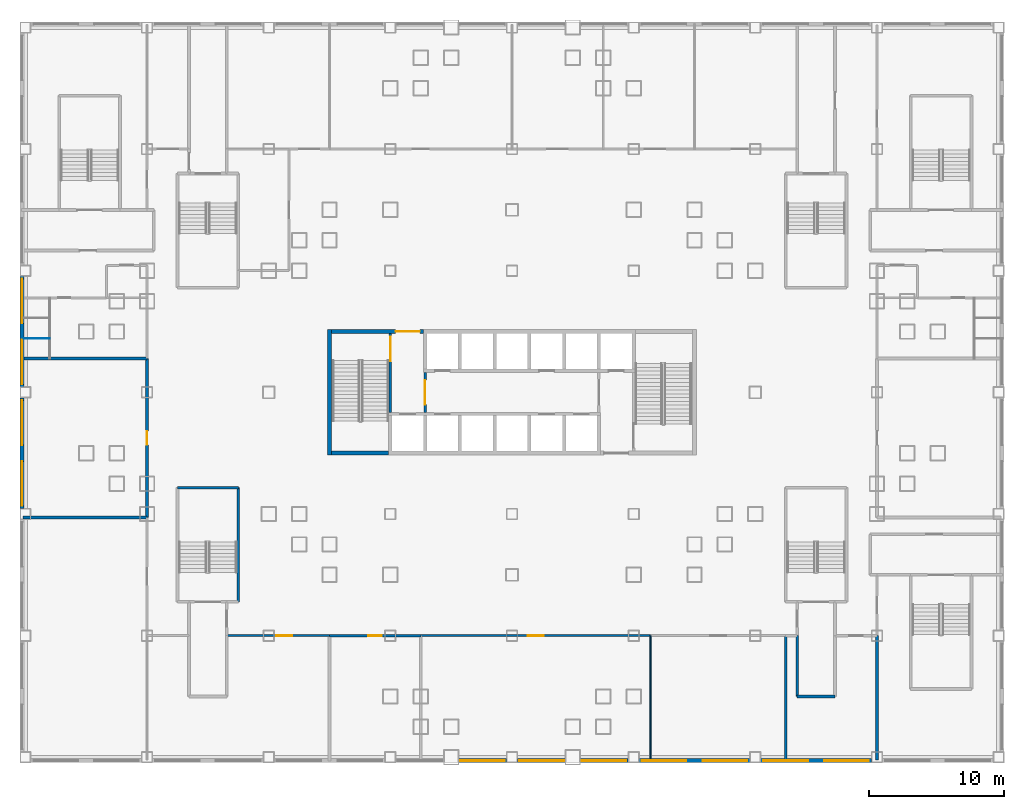
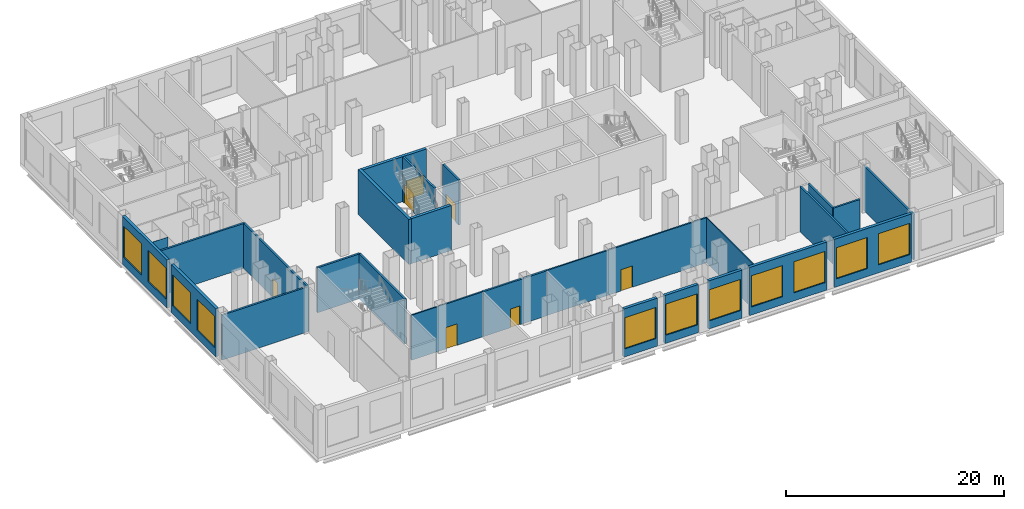
# One storey, part 3 of 26: 26 walls, 11 windows, 7 doors, 18 openings.
"""IFC4 building model written with IfcOpenShell, lengths in metres."""

from ifc_helpers import new_model, si_unit, direction, frame, frame_2d, origin, place, context, subcontext, project, spatial, rectangle, extrude, material, layer, layer_set, type_object, element, fill, save


model = new_model("IFC4")

# Units and contexts
model_context = context("Model", 3, precision=1e-05, world=origin(), true_north=direction((0.0, 1.0)))
body_context = subcontext(model_context, "Body", "Model", "MODEL_VIEW")
ifc_project = project(units=[si_unit("LENGTHUNIT", "METRE"), si_unit("AREAUNIT", "SQUARE_METRE"), si_unit("VOLUMEUNIT", "CUBIC_METRE"), si_unit("PLANEANGLEUNIT", "RADIAN"), si_unit("MASSUNIT", "GRAM", prefix="KILO")], contexts=[model_context])

# Site, building, storey
site_placement = place(None, origin())
site = spatial("IfcSite", under=ifc_project, at=site_placement, CompositionType="ELEMENT")
building_placement = place(site_placement, origin())
building = spatial("IfcBuilding", under=site, at=building_placement, Name="Caravel Reach Hotel and Residences", CompositionType="ELEMENT")
storey_placement = place(building_placement, frame((0.0, 0.0, 12.0)))
storey = spatial("IfcBuildingStorey", under=building, at=storey_placement, Name="L02", CompositionType="ELEMENT", Elevation=12.0)

# Walls
ifc_material_1 = material(Name="Autoclaved aerated block wall")
ifc_layer_1 = layer(ifc_material_1, 0.199951171875)
ifc_layer_set_1 = layer_set([ifc_layer_1], Name="Compartment wall 200 mm EI 120")
wall_type_1 = type_object("IfcWallType", Name="Compartment wall 200 mm EI 120", PredefinedType="PARTITIONING", material=ifc_layer_set_1)
wall_1_placement = place(storey_placement, frame((-4.68994140625, 17.75, 0.0), z_axis=(0.0, 0.0, 1.0), x_axis=(1.0, 0.0, 0.0)))
element("IfcWall", 1, at=wall_1_placement, inside=storey, type_object=wall_type_1, Name="L02 wall w041", PredefinedType="PARTITIONING", context=body_context, shape_type="SweptSolid", body=[
    extrude(rectangle(XDim=9.18994140625, YDim=0.199951171875, at=frame_2d((4.594970703125, 0.0))), origin(), (0.0, 0.0, 1.0), 5.050048828125),
])
wall_2_placement = place(storey_placement, frame((-4.6201171875, 29.5, 0.0), z_axis=(0.0, 0.0, 1.0), x_axis=(1.0, 0.0, 0.0)))
element("IfcWall", 2, at=wall_2_placement, inside=storey, type_object=wall_type_1, Name="L02 wall w043", PredefinedType="PARTITIONING", context=body_context, shape_type="SweptSolid", body=[
    extrude(rectangle(XDim=9.1201171875, YDim=0.199951171875, at=frame_2d((4.56005859375, 0.0))), origin(), (0.0, 0.0, 1.0), 5.050048828125),
])
wall_3_placement = place(storey_placement, frame((52.60009765625, 4.5, 0.0), z_axis=(0.0, 0.0, 1.0), x_axis=(1.0, 0.0, 0.0)))
element("IfcWall", 3, at=wall_3_placement, inside=storey, type_object=wall_type_1, Name="L02 wall w048", PredefinedType="PARTITIONING", context=body_context, shape_type="SweptSolid", body=[
    extrude(rectangle(XDim=2.7998046875, YDim=0.199951171875, at=frame_2d((1.39990234375, 0.0))), origin(), (0.0, 0.0, 1.0), 5.050048828125),
])

# Wall, opening, door
wall_4_placement = place(storey_placement, frame((18.0, 9.0, 0.0), z_axis=(0.0, 0.0, 1.0), x_axis=(1.0, 0.0, 0.0)))
wall_4 = element("IfcWall", 4, at=wall_4_placement, inside=storey, type_object=wall_type_1, Name="L02 wall w055", PredefinedType="PARTITIONING", context=body_context, shape_type="SweptSolid", body=[
    extrude(rectangle(XDim=6.75, YDim=0.199951171875, at=frame_2d((3.375, 0.0))), origin(), (0.0, 0.0, 1.0), 5.050048828125),
])
opening_1_placement = place(wall_4_placement, frame((2.875, 0.0, 0.0)))
opening_1 = element("IfcOpeningElement", 5, at=opening_1_placement, cuts=wall_4, Name="Opening D02-039", PredefinedType="OPENING", context=body_context, shape_type="SweptSolid", body=[
    extrude(rectangle(XDim=1.0, YDim=2.10009765625, at=frame_2d((0.5, 1.050048828125))), frame((0.0, 0.10986328125, 0.0), z_axis=(0.0, -1.0, 0.0), x_axis=(1.0, 0.0, 0.0)), (0.0, 0.0, 1.0), 0.219970703125),
])
ifc_material_2 = material(Name="Steel fire door leaf", Category="steel")
door_type_1 = type_object("IfcDoorType", Name="Fire door 1000 x 2100 EI 60", OperationType="SINGLE_SWING_LEFT", PredefinedType="DOOR", material=ifc_material_2)
door_1_placement = place(opening_1_placement, origin())
door_1 = element("IfcDoor", 6, at=door_1_placement, inside=storey, type_object=door_type_1, Name="door D02-039", OperationType="SINGLE_SWING_RIGHT", OverallHeight=2.10009765625, OverallWidth=1.0, PredefinedType="DOOR", context=body_context, shape_type="SweptSolid", body=[
    extrude(rectangle(XDim=1.0, YDim=2.10009765625, at=frame_2d((0.5, 1.050048828125))), frame((0.0, 0.02490234375, 0.0), z_axis=(0.0, -1.0, 0.0), x_axis=(1.0, 0.0, 0.0)), (0.0, 0.0, 1.0), 0.050048828125),
])
fill(opening_1, door_1)

wall_5_placement = place(storey_placement, frame((4.5, 17.75, 0.0), z_axis=(0.0, 0.0, 1.0), x_axis=(0.0, 1.0, 0.0)))
wall_5 = element("IfcWall", 7, at=wall_5_placement, inside=storey, type_object=wall_type_1, Name="L02 wall w064", PredefinedType="PARTITIONING", context=body_context, shape_type="SweptSolid", body=[
    extrude(rectangle(XDim=11.75, YDim=0.199951171875, at=frame_2d((5.875, 0.0))), origin(), (0.0, 0.0, 1.0), 5.050048828125),
])
opening_2_placement = place(wall_5_placement, frame((5.375, 0.0, 0.0)))
opening_2 = element("IfcOpeningElement", 8, at=opening_2_placement, cuts=wall_5, Name="Opening D02-029", PredefinedType="OPENING", context=body_context, shape_type="SweptSolid", body=[
    extrude(rectangle(XDim=1.0, YDim=2.10009765625, at=frame_2d((0.5, 1.050048828125))), frame((0.0, 0.10986328125, 0.0), z_axis=(0.0, -1.0, 0.0), x_axis=(1.0, 0.0, 0.0)), (0.0, 0.0, 1.0), 0.219970703125),
])
door_2_placement = place(opening_2_placement, origin())
door_2 = element("IfcDoor", 9, at=door_2_placement, inside=storey, type_object=door_type_1, Name="door D02-029", OperationType="SINGLE_SWING_RIGHT", OverallHeight=2.10009765625, OverallWidth=1.0, PredefinedType="DOOR", context=body_context, shape_type="SweptSolid", body=[
    extrude(rectangle(XDim=1.0, YDim=2.10009765625, at=frame_2d((0.5, 1.050048828125))), frame((0.0, 0.02490234375, 0.0), z_axis=(0.0, -1.0, 0.0), x_axis=(1.0, 0.0, 0.0)), (0.0, 0.0, 1.0), 0.050048828125),
])
fill(opening_2, door_2)

# Walls
wall_6_placement = place(storey_placement, frame((51.75, -0.1201171875, 0.0), z_axis=(0.0, 0.0, 1.0), x_axis=(0.0, 1.0, 0.0)))
element("IfcWall", 10, at=wall_6_placement, inside=storey, type_object=wall_type_1, Name="L02 wall w066", PredefinedType="PARTITIONING", context=body_context, shape_type="SweptSolid", body=[
    extrude(rectangle(XDim=9.1201171875, YDim=0.199951171875, at=frame_2d((4.56005859375, 0.0))), origin(), (0.0, 0.0, 1.0), 5.050048828125),
])
wall_7_placement = place(storey_placement, frame((52.60009765625, 4.5, 0.0), z_axis=(0.0, 0.0, 1.0), x_axis=(0.0, 1.0, 0.0)))
element("IfcWall", 11, at=wall_7_placement, inside=storey, type_object=wall_type_1, Name="L02 wall w070", PredefinedType="PARTITIONING", context=body_context, shape_type="SweptSolid", body=[
    extrude(rectangle(XDim=4.5, YDim=0.199951171875, at=frame_2d((2.25, 0.0))), origin(), (0.0, 0.0, 1.0), 5.050048828125),
])
wall_8_placement = place(storey_placement, frame((58.5, -0.18994140625, 0.0), z_axis=(0.0, 0.0, 1.0), x_axis=(0.0, 1.0, 0.0)))
element("IfcWall", 12, at=wall_8_placement, inside=storey, type_object=wall_type_1, Name="L02 wall w076", PredefinedType="PARTITIONING", context=body_context, shape_type="SweptSolid", body=[
    extrude(rectangle(XDim=9.18994140625, YDim=0.199951171875, at=frame_2d((4.594970703125, 0.0))), origin(), (0.0, 0.0, 1.0), 5.050048828125),
])
ifc_material_3 = material(Name="Concrete C60", Category="concrete")
ifc_layer_2 = layer(ifc_material_3, 0.300048828125)
ifc_layer_set_2 = layer_set([ifc_layer_2], Name="Core wall 300 mm EI 120")
wall_type_2 = type_object("IfcWallType", Name="Core wall 300 mm EI 120", PredefinedType="SHEAR", material=ifc_layer_set_2)
wall_9_placement = place(storey_placement, frame((18.14990234375, 22.5, 0.0), z_axis=(0.0, 0.0, 1.0), x_axis=(1.0, 0.0, 0.0)))
element("IfcWall", 13, at=wall_9_placement, inside=storey, type_object=wall_type_2, Name="L02 core wall S1", PredefinedType="SHEAR", context=body_context, shape_type="SweptSolid", body=[
    extrude(rectangle(XDim=4.22509765625, YDim=0.300048828125, at=frame_2d((2.112548828125, 0.0))), origin(), (0.0, 0.0, 1.0), 5.050048828125),
])

# Wall, opening, door
wall_10_placement = place(storey_placement, frame((18.14990234375, 31.5, 0.0), z_axis=(0.0, 0.0, 1.0), x_axis=(1.0, 0.0, 0.0)))
wall_10 = element("IfcWall", 14, at=wall_10_placement, inside=storey, type_object=wall_type_2, Name="L02 core wall N1", PredefinedType="SHEAR", context=body_context, shape_type="SweptSolid", body=[
    extrude(rectangle(XDim=6.796630859375, YDim=0.300048828125, at=frame_2d((3.3984375, 0.0))), origin(), (0.0, 0.0, 1.0), 5.050048828125),
])
opening_3_placement = place(wall_10_placement, frame((4.735595703125, 0.0, 0.0)))
opening_3 = element("IfcOpeningElement", 15, at=opening_3_placement, cuts=wall_10, Name="Opening D02-012", PredefinedType="OPENING", context=body_context, shape_type="SweptSolid", body=[
    extrude(rectangle(XDim=1.800048828125, YDim=2.10009765625, at=frame_2d((0.89990234375, 1.050048828125))), frame((0.0, 0.159912109375, 0.0), z_axis=(0.0, -1.0, 0.0), x_axis=(1.0, 0.0, 0.0)), (0.0, 0.0, 1.0), 0.320068359375),
])
ifc_material_4 = material(Name="Steel fire door leaf", Category="steel")
door_type_2 = type_object("IfcDoorType", Name="Fire lobby door pair 1800 x 2100 EI 90", OperationType="DOUBLE_DOOR_SINGLE_SWING", PredefinedType="DOOR", material=ifc_material_4)
door_3_placement = place(opening_3_placement, origin())
door_3 = element("IfcDoor", 16, at=door_3_placement, inside=storey, type_object=door_type_2, Name="lobby N door pair to corridor", OperationType="DOUBLE_DOOR_SINGLE_SWING", OverallHeight=2.10009765625, OverallWidth=1.800048828125, PredefinedType="DOOR", context=body_context, shape_type="SweptSolid", body=[
    extrude(rectangle(XDim=1.800048828125, YDim=2.10009765625, at=frame_2d((0.89990234375, 1.050048828125))), frame((0.0, 0.02490234375, 0.0), z_axis=(0.0, -1.0, 0.0), x_axis=(1.0, 0.0, 0.0)), (0.0, 0.0, 1.0), 0.050048828125),
])
fill(opening_3, door_3)

# Wall
wall_11_placement = place(storey_placement, frame((18.0, 22.35009765625, 0.0), z_axis=(0.0, 0.0, 1.0), x_axis=(0.0, 1.0, 0.0)))
element("IfcWall", 17, at=wall_11_placement, inside=storey, type_object=wall_type_2, Name="L02 core wall W", PredefinedType="SHEAR", context=body_context, shape_type="SweptSolid", body=[
    extrude(rectangle(XDim=9.2998046875, YDim=0.300048828125, at=frame_2d((4.64990234375, 0.0))), origin(), (0.0, 0.0, 1.0), 5.050048828125),
])

# Wall, opening, door
ifc_material_5 = material(Name="Gypsum board on steel stud, fire-rated", Category="steel")
ifc_layer_3 = layer(ifc_material_5, 0.14990234375)
ifc_layer_set_3 = layer_set([ifc_layer_3], Name="Corridor wall 150 mm EI 60")
wall_type_3 = type_object("IfcWallType", Name="Corridor wall 150 mm EI 60", PredefinedType="PARTITIONING", material=ifc_layer_set_3)
wall_12_placement = place(storey_placement, frame((10.39990234375, 9.0, 0.0), z_axis=(0.0, 0.0, 1.0), x_axis=(1.0, 0.0, 0.0)))
wall_12 = element("IfcWall", 18, at=wall_12_placement, inside=storey, type_object=wall_type_3, Name="L02 wall w013", PredefinedType="PARTITIONING", context=body_context, shape_type="SweptSolid", body=[
    extrude(rectangle(XDim=7.60009765625, YDim=0.14990234375, at=frame_2d((3.800048828125, 0.0))), origin(), (0.0, 0.0, 1.0), 5.050048828125),
])
opening_4_placement = place(wall_12_placement, frame((3.64990234375, 0.0, 0.0)))
opening_4 = element("IfcOpeningElement", 19, at=opening_4_placement, cuts=wall_12, Name="Opening D02-038", PredefinedType="OPENING", context=body_context, shape_type="SweptSolid", body=[
    extrude(rectangle(XDim=1.199951171875, YDim=2.39990234375, at=frame_2d((0.60009765625, 1.199951171875))), frame((0.0, 0.0849609375, 0.0), z_axis=(0.0, -1.0, 0.0), x_axis=(1.0, 0.0, 0.0)), (0.0, 0.0, 1.0), 0.169921875),
])
ifc_material_6 = material(Name="Timber and steel door leaf", Category="steel")
door_type_3 = type_object("IfcDoorType", Name="Glazed door 1200 x 2400", OperationType="SINGLE_SWING_LEFT", PredefinedType="DOOR", material=ifc_material_6)
door_4_placement = place(opening_4_placement, origin())
door_4 = element("IfcDoor", 20, at=door_4_placement, inside=storey, type_object=door_type_3, Name="door D02-038", OperationType="SINGLE_SWING_RIGHT", OverallHeight=2.39990234375, OverallWidth=1.199951171875, PredefinedType="DOOR", context=body_context, shape_type="SweptSolid", body=[
    extrude(rectangle(XDim=1.199951171875, YDim=2.39990234375, at=frame_2d((0.60009765625, 1.199951171875))), frame((0.0, 0.02490234375, 0.0), z_axis=(0.0, -1.0, 0.0), x_axis=(1.0, 0.0, 0.0)), (0.0, 0.0, 1.0), 0.050048828125),
])
fill(opening_4, door_4)

wall_13_placement = place(storey_placement, frame((24.75, 9.0, 0.0), z_axis=(0.0, 0.0, 1.0), x_axis=(1.0, 0.0, 0.0)))
wall_13 = element("IfcWall", 21, at=wall_13_placement, inside=storey, type_object=wall_type_3, Name="L02 wall w014", PredefinedType="PARTITIONING", context=body_context, shape_type="SweptSolid", body=[
    extrude(rectangle(XDim=17.0, YDim=0.14990234375, at=frame_2d((8.5, 0.0))), origin(), (0.0, 0.0, 1.0), 5.050048828125),
])
opening_5_placement = place(wall_13_placement, frame((7.89990234375, 0.0, 0.0)))
opening_5 = element("IfcOpeningElement", 22, at=opening_5_placement, cuts=wall_13, Name="Opening D02-040", PredefinedType="OPENING", context=body_context, shape_type="SweptSolid", body=[
    extrude(rectangle(XDim=1.199951171875, YDim=2.39990234375, at=frame_2d((0.60009765625, 1.199951171875))), frame((0.0, 0.0849609375, 0.0), z_axis=(0.0, -1.0, 0.0), x_axis=(1.0, 0.0, 0.0)), (0.0, 0.0, 1.0), 0.169921875),
])
door_5_placement = place(opening_5_placement, origin())
door_5 = element("IfcDoor", 23, at=door_5_placement, inside=storey, type_object=door_type_3, Name="door D02-040", OperationType="SINGLE_SWING_RIGHT", OverallHeight=2.39990234375, OverallWidth=1.199951171875, PredefinedType="DOOR", context=body_context, shape_type="SweptSolid", body=[
    extrude(rectangle(XDim=1.199951171875, YDim=2.39990234375, at=frame_2d((0.60009765625, 1.199951171875))), frame((0.0, 0.02490234375, 0.0), z_axis=(0.0, -1.0, 0.0), x_axis=(1.0, 0.0, 0.0)), (0.0, 0.0, 1.0), 0.050048828125),
])
fill(opening_5, door_5)

# Wall, openings, windows
ifc_material_7 = material(Name="Insulated wall, stone cladding", Category="masonry")
ifc_layer_4 = layer(ifc_material_7, 0.300048828125)
ifc_layer_set_4 = layer_set([ifc_layer_4], Name="EW2 Podium stone-clad wall")
wall_type_4 = type_object("IfcWallType", Name="EW2 Podium stone-clad wall", PredefinedType="SOLIDWALL", material=ifc_layer_set_4)
wall_14_placement = place(storey_placement, frame((-4.75, 35.60009765625, 0.0), z_axis=(0.0, 0.0, 1.0), x_axis=(0.0, -1.0, 0.0)))
wall_14 = element("IfcWall", 24, at=wall_14_placement, inside=storey, type_object=wall_type_4, Name="External wall L02 W3.3", PredefinedType="SOLIDWALL", context=body_context, shape_type="SweptSolid", body=[
    extrude(rectangle(XDim=8.2001953125, YDim=0.300048828125, at=frame_2d((4.10009765625, 0.0))), origin(), (0.0, 0.0, 1.0), 5.39990234375),
])
opening_6_placement = place(wall_14_placement, frame((0.199951171875, 0.0, 0.89990234375)))
opening_6 = element("IfcOpeningElement", 25, at=opening_6_placement, cuts=wall_14, Name="Opening WN30", PredefinedType="OPENING", context=body_context, shape_type="SweptSolid", body=[
    extrude(rectangle(XDim=3.300048828125, YDim=3.5, at=frame_2d((1.64990234375, 1.75))), frame((0.0, 0.159912109375, 0.0), z_axis=(0.0, -1.0, 0.0), x_axis=(1.0, 0.0, 0.0)), (0.0, 0.0, 1.0), 0.320068359375),
])
opening_7_placement = place(wall_14_placement, frame((4.699951171875, 0.0, 0.89990234375)))
opening_7 = element("IfcOpeningElement", 26, at=opening_7_placement, cuts=wall_14, Name="Opening WN30", PredefinedType="OPENING", context=body_context, shape_type="SweptSolid", body=[
    extrude(rectangle(XDim=3.300048828125, YDim=3.5, at=frame_2d((1.64990234375, 1.75))), frame((0.0, 0.159912109375, 0.0), z_axis=(0.0, -1.0, 0.0), x_axis=(1.0, 0.0, 0.0)), (0.0, 0.0, 1.0), 0.320068359375),
])
ifc_material_8 = material(Name="Dark low-e glazing in black aluminium frame", Category="aluminium")
window_type = type_object("IfcWindowType", Name="Podium window 3300 x 3500", PartitioningType="SINGLE_PANEL", PredefinedType="WINDOW", material=ifc_material_8)
window_1_placement = place(opening_6_placement, origin())
window_1 = element("IfcWindow", 27, at=window_1_placement, inside=storey, type_object=window_type, Name="Window L02 W3.3.1", OverallHeight=3.5, OverallWidth=3.300048828125, PartitioningType="SINGLE_PANEL", PredefinedType="WINDOW", context=body_context, shape_type="SweptSolid", body=[
    extrude(rectangle(XDim=3.300048828125, YDim=3.5, at=frame_2d((1.64990234375, 1.75))), frame((0.0, 0.030029296875, 0.0), z_axis=(0.0, -1.0, 0.0), x_axis=(1.0, 0.0, 0.0)), (0.0, 0.0, 1.0), 0.06005859375),
])
fill(opening_6, window_1)
window_2_placement = place(opening_7_placement, origin())
window_2 = element("IfcWindow", 28, at=window_2_placement, inside=storey, type_object=window_type, Name="Window L02 W3.3.2", OverallHeight=3.5, OverallWidth=3.300048828125, PartitioningType="SINGLE_PANEL", PredefinedType="WINDOW", context=body_context, shape_type="SweptSolid", body=[
    extrude(rectangle(XDim=3.300048828125, YDim=3.5, at=frame_2d((1.64990234375, 1.75))), frame((0.0, 0.030029296875, 0.0), z_axis=(0.0, -1.0, 0.0), x_axis=(1.0, 0.0, 0.0)), (0.0, 0.0, 1.0), 0.06005859375),
])
fill(opening_7, window_2)

wall_15_placement = place(storey_placement, frame((-4.75, 26.60009765625, 0.0), z_axis=(0.0, 0.0, 1.0), x_axis=(0.0, -1.0, 0.0)))
wall_15 = element("IfcWall", 29, at=wall_15_placement, inside=storey, type_object=wall_type_4, Name="External wall L02 W3.4", PredefinedType="SOLIDWALL", context=body_context, shape_type="SweptSolid", body=[
    extrude(rectangle(XDim=8.2001953125, YDim=0.300048828125, at=frame_2d((4.10009765625, 0.0))), origin(), (0.0, 0.0, 1.0), 5.39990234375),
])
opening_8_placement = place(wall_15_placement, frame((0.199951171875, 0.0, 0.89990234375)))
opening_8 = element("IfcOpeningElement", 30, at=opening_8_placement, cuts=wall_15, Name="Opening WN30", PredefinedType="OPENING", context=body_context, shape_type="SweptSolid", body=[
    extrude(rectangle(XDim=3.300048828125, YDim=3.5, at=frame_2d((1.64990234375, 1.75))), frame((0.0, 0.159912109375, 0.0), z_axis=(0.0, -1.0, 0.0), x_axis=(1.0, 0.0, 0.0)), (0.0, 0.0, 1.0), 0.320068359375),
])
opening_9_placement = place(wall_15_placement, frame((4.699951171875, 0.0, 0.89990234375)))
opening_9 = element("IfcOpeningElement", 31, at=opening_9_placement, cuts=wall_15, Name="Opening WN30", PredefinedType="OPENING", context=body_context, shape_type="SweptSolid", body=[
    extrude(rectangle(XDim=3.300048828125, YDim=3.5, at=frame_2d((1.64990234375, 1.75))), frame((0.0, 0.159912109375, 0.0), z_axis=(0.0, -1.0, 0.0), x_axis=(1.0, 0.0, 0.0)), (0.0, 0.0, 1.0), 0.320068359375),
])
window_3_placement = place(opening_8_placement, origin())
window_3 = element("IfcWindow", 32, at=window_3_placement, inside=storey, type_object=window_type, Name="Window L02 W3.4.1", OverallHeight=3.5, OverallWidth=3.300048828125, PartitioningType="SINGLE_PANEL", PredefinedType="WINDOW", context=body_context, shape_type="SweptSolid", body=[
    extrude(rectangle(XDim=3.300048828125, YDim=3.5, at=frame_2d((1.64990234375, 1.75))), frame((0.0, 0.030029296875, 0.0), z_axis=(0.0, -1.0, 0.0), x_axis=(1.0, 0.0, 0.0)), (0.0, 0.0, 1.0), 0.06005859375),
])
fill(opening_8, window_3)
window_4_placement = place(opening_9_placement, origin())
window_4 = element("IfcWindow", 33, at=window_4_placement, inside=storey, type_object=window_type, Name="Window L02 W3.4.2", OverallHeight=3.5, OverallWidth=3.300048828125, PartitioningType="SINGLE_PANEL", PredefinedType="WINDOW", context=body_context, shape_type="SweptSolid", body=[
    extrude(rectangle(XDim=3.300048828125, YDim=3.5, at=frame_2d((1.64990234375, 1.75))), frame((0.0, 0.030029296875, 0.0), z_axis=(0.0, -1.0, 0.0), x_axis=(1.0, 0.0, 0.0)), (0.0, 0.0, 1.0), 0.06005859375),
])
fill(opening_9, window_4)

# Wall, opening, window
wall_16_placement = place(storey_placement, frame((27.550048828125, -0.25, 0.0), z_axis=(0.0, 0.0, 1.0), x_axis=(1.0, 0.0, 0.0)))
wall_16 = element("IfcWall", 34, at=wall_16_placement, inside=storey, type_object=wall_type_4, Name="External wall L02 S4.5", PredefinedType="SOLIDWALL", context=body_context, shape_type="SweptSolid", body=[
    extrude(rectangle(XDim=3.550048828125, YDim=0.300048828125, at=frame_2d((1.77490234375, 0.0))), origin(), (0.0, 0.0, 1.0), 5.39990234375),
])
opening_10_placement = place(wall_16_placement, frame((0.10009765625, 0.0, 0.89990234375)))
opening_10 = element("IfcOpeningElement", 35, at=opening_10_placement, cuts=wall_16, Name="Opening WN30", PredefinedType="OPENING", context=body_context, shape_type="SweptSolid", body=[
    extrude(rectangle(XDim=3.300048828125, YDim=3.5, at=frame_2d((1.64990234375, 1.75))), frame((0.0, 0.159912109375, 0.0), z_axis=(0.0, -1.0, 0.0), x_axis=(1.0, 0.0, 0.0)), (0.0, 0.0, 1.0), 0.320068359375),
])
window_5_placement = place(opening_10_placement, origin())
window_5 = element("IfcWindow", 36, at=window_5_placement, inside=storey, type_object=window_type, Name="Window L02 S4.5.1", OverallHeight=3.5, OverallWidth=3.300048828125, PartitioningType="SINGLE_PANEL", PredefinedType="WINDOW", context=body_context, shape_type="SweptSolid", body=[
    extrude(rectangle(XDim=3.300048828125, YDim=3.5, at=frame_2d((1.64990234375, 1.75))), frame((0.0, 0.030029296875, 0.0), z_axis=(0.0, -1.0, 0.0), x_axis=(1.0, 0.0, 0.0)), (0.0, 0.0, 1.0), 0.06005859375),
])
fill(opening_10, window_5)

wall_17_placement = place(storey_placement, frame((31.89990234375, -0.25, 0.0), z_axis=(0.0, 0.0, 1.0), x_axis=(1.0, 0.0, 0.0)))
wall_17 = element("IfcWall", 37, at=wall_17_placement, inside=storey, type_object=wall_type_4, Name="External wall L02 S4.6", PredefinedType="SOLIDWALL", context=body_context, shape_type="SweptSolid", body=[
    extrude(rectangle(XDim=3.550048828125, YDim=0.300048828125, at=frame_2d((1.77490234375, 0.0))), origin(), (0.0, 0.0, 1.0), 5.39990234375),
])
opening_11_placement = place(wall_17_placement, frame((0.14990234375, 0.0, 0.89990234375)))
opening_11 = element("IfcOpeningElement", 38, at=opening_11_placement, cuts=wall_17, Name="Opening WN30", PredefinedType="OPENING", context=body_context, shape_type="SweptSolid", body=[
    extrude(rectangle(XDim=3.300048828125, YDim=3.5, at=frame_2d((1.64990234375, 1.75))), frame((0.0, 0.159912109375, 0.0), z_axis=(0.0, -1.0, 0.0), x_axis=(1.0, 0.0, 0.0)), (0.0, 0.0, 1.0), 0.320068359375),
])
window_6_placement = place(opening_11_placement, origin())
window_6 = element("IfcWindow", 39, at=window_6_placement, inside=storey, type_object=window_type, Name="Window L02 S4.6.1", OverallHeight=3.5, OverallWidth=3.300048828125, PartitioningType="SINGLE_PANEL", PredefinedType="WINDOW", context=body_context, shape_type="SweptSolid", body=[
    extrude(rectangle(XDim=3.300048828125, YDim=3.5, at=frame_2d((1.64990234375, 1.75))), frame((0.0, 0.030029296875, 0.0), z_axis=(0.0, -1.0, 0.0), x_axis=(1.0, 0.0, 0.0)), (0.0, 0.0, 1.0), 0.06005859375),
])
fill(opening_11, window_6)

wall_18_placement = place(storey_placement, frame((36.550048828125, -0.25, 0.0), z_axis=(0.0, 0.0, 1.0), x_axis=(1.0, 0.0, 0.0)))
wall_18 = element("IfcWall", 40, at=wall_18_placement, inside=storey, type_object=wall_type_4, Name="External wall L02 S4.7", PredefinedType="SOLIDWALL", context=body_context, shape_type="SweptSolid", body=[
    extrude(rectangle(XDim=3.550048828125, YDim=0.300048828125, at=frame_2d((1.77490234375, 0.0))), origin(), (0.0, 0.0, 1.0), 5.39990234375),
])
opening_12_placement = place(wall_18_placement, frame((0.10009765625, 0.0, 0.89990234375)))
opening_12 = element("IfcOpeningElement", 41, at=opening_12_placement, cuts=wall_18, Name="Opening WN30", PredefinedType="OPENING", context=body_context, shape_type="SweptSolid", body=[
    extrude(rectangle(XDim=3.300048828125, YDim=3.5, at=frame_2d((1.64990234375, 1.75))), frame((0.0, 0.159912109375, 0.0), z_axis=(0.0, -1.0, 0.0), x_axis=(1.0, 0.0, 0.0)), (0.0, 0.0, 1.0), 0.320068359375),
])
window_7_placement = place(opening_12_placement, origin())
window_7 = element("IfcWindow", 42, at=window_7_placement, inside=storey, type_object=window_type, Name="Window L02 S4.7.1", OverallHeight=3.5, OverallWidth=3.300048828125, PartitioningType="SINGLE_PANEL", PredefinedType="WINDOW", context=body_context, shape_type="SweptSolid", body=[
    extrude(rectangle(XDim=3.300048828125, YDim=3.5, at=frame_2d((1.64990234375, 1.75))), frame((0.0, 0.030029296875, 0.0), z_axis=(0.0, -1.0, 0.0), x_axis=(1.0, 0.0, 0.0)), (0.0, 0.0, 1.0), 0.06005859375),
])
fill(opening_12, window_7)

# Wall, openings, windows
wall_19_placement = place(storey_placement, frame((40.89990234375, -0.25, 0.0), z_axis=(0.0, 0.0, 1.0), x_axis=(1.0, 0.0, 0.0)))
wall_19 = element("IfcWall", 43, at=wall_19_placement, inside=storey, type_object=wall_type_4, Name="External wall L02 S4.8", PredefinedType="SOLIDWALL", context=body_context, shape_type="SweptSolid", body=[
    extrude(rectangle(XDim=8.2001953125, YDim=0.300048828125, at=frame_2d((4.10009765625, 0.0))), origin(), (0.0, 0.0, 1.0), 5.39990234375),
])
opening_13_placement = place(wall_19_placement, frame((0.199951171875, 0.0, 0.89990234375)))
opening_13 = element("IfcOpeningElement", 44, at=opening_13_placement, cuts=wall_19, Name="Opening WN30", PredefinedType="OPENING", context=body_context, shape_type="SweptSolid", body=[
    extrude(rectangle(XDim=3.300048828125, YDim=3.5, at=frame_2d((1.64990234375, 1.75))), frame((0.0, 0.159912109375, 0.0), z_axis=(0.0, -1.0, 0.0), x_axis=(1.0, 0.0, 0.0)), (0.0, 0.0, 1.0), 0.320068359375),
])
opening_14_placement = place(wall_19_placement, frame((4.699951171875, 0.0, 0.89990234375)))
opening_14 = element("IfcOpeningElement", 45, at=opening_14_placement, cuts=wall_19, Name="Opening WN30", PredefinedType="OPENING", context=body_context, shape_type="SweptSolid", body=[
    extrude(rectangle(XDim=3.300048828125, YDim=3.5, at=frame_2d((1.64990234375, 1.75))), frame((0.0, 0.159912109375, 0.0), z_axis=(0.0, -1.0, 0.0), x_axis=(1.0, 0.0, 0.0)), (0.0, 0.0, 1.0), 0.320068359375),
])
window_8_placement = place(opening_13_placement, origin())
window_8 = element("IfcWindow", 46, at=window_8_placement, inside=storey, type_object=window_type, Name="Window L02 S4.8.1", OverallHeight=3.5, OverallWidth=3.300048828125, PartitioningType="SINGLE_PANEL", PredefinedType="WINDOW", context=body_context, shape_type="SweptSolid", body=[
    extrude(rectangle(XDim=3.300048828125, YDim=3.5, at=frame_2d((1.64990234375, 1.75))), frame((0.0, 0.030029296875, 0.0), z_axis=(0.0, -1.0, 0.0), x_axis=(1.0, 0.0, 0.0)), (0.0, 0.0, 1.0), 0.06005859375),
])
fill(opening_13, window_8)
window_9_placement = place(opening_14_placement, origin())
window_9 = element("IfcWindow", 47, at=window_9_placement, inside=storey, type_object=window_type, Name="Window L02 S4.8.2", OverallHeight=3.5, OverallWidth=3.300048828125, PartitioningType="SINGLE_PANEL", PredefinedType="WINDOW", context=body_context, shape_type="SweptSolid", body=[
    extrude(rectangle(XDim=3.300048828125, YDim=3.5, at=frame_2d((1.64990234375, 1.75))), frame((0.0, 0.030029296875, 0.0), z_axis=(0.0, -1.0, 0.0), x_axis=(1.0, 0.0, 0.0)), (0.0, 0.0, 1.0), 0.06005859375),
])
fill(opening_14, window_9)

wall_20_placement = place(storey_placement, frame((49.89990234375, -0.25, 0.0), z_axis=(0.0, 0.0, 1.0), x_axis=(1.0, 0.0, 0.0)))
wall_20 = element("IfcWall", 48, at=wall_20_placement, inside=storey, type_object=wall_type_4, Name="External wall L02 S4.9", PredefinedType="SOLIDWALL", context=body_context, shape_type="SweptSolid", body=[
    extrude(rectangle(XDim=8.2001953125, YDim=0.300048828125, at=frame_2d((4.10009765625, 0.0))), origin(), (0.0, 0.0, 1.0), 5.39990234375),
])
opening_15_placement = place(wall_20_placement, frame((0.199951171875, 0.0, 0.89990234375)))
opening_15 = element("IfcOpeningElement", 49, at=opening_15_placement, cuts=wall_20, Name="Opening WN30", PredefinedType="OPENING", context=body_context, shape_type="SweptSolid", body=[
    extrude(rectangle(XDim=3.300048828125, YDim=3.5, at=frame_2d((1.64990234375, 1.75))), frame((0.0, 0.159912109375, 0.0), z_axis=(0.0, -1.0, 0.0), x_axis=(1.0, 0.0, 0.0)), (0.0, 0.0, 1.0), 0.320068359375),
])
opening_16_placement = place(wall_20_placement, frame((4.699951171875, 0.0, 0.89990234375)))
opening_16 = element("IfcOpeningElement", 50, at=opening_16_placement, cuts=wall_20, Name="Opening WN30", PredefinedType="OPENING", context=body_context, shape_type="SweptSolid", body=[
    extrude(rectangle(XDim=3.300048828125, YDim=3.5, at=frame_2d((1.64990234375, 1.75))), frame((0.0, 0.159912109375, 0.0), z_axis=(0.0, -1.0, 0.0), x_axis=(1.0, 0.0, 0.0)), (0.0, 0.0, 1.0), 0.320068359375),
])
window_10_placement = place(opening_15_placement, origin())
window_10 = element("IfcWindow", 51, at=window_10_placement, inside=storey, type_object=window_type, Name="Window L02 S4.9.1", OverallHeight=3.5, OverallWidth=3.300048828125, PartitioningType="SINGLE_PANEL", PredefinedType="WINDOW", context=body_context, shape_type="SweptSolid", body=[
    extrude(rectangle(XDim=3.300048828125, YDim=3.5, at=frame_2d((1.64990234375, 1.75))), frame((0.0, 0.030029296875, 0.0), z_axis=(0.0, -1.0, 0.0), x_axis=(1.0, 0.0, 0.0)), (0.0, 0.0, 1.0), 0.06005859375),
])
fill(opening_15, window_10)
window_11_placement = place(opening_16_placement, origin())
window_11 = element("IfcWindow", 52, at=window_11_placement, inside=storey, type_object=window_type, Name="Window L02 S4.9.2", OverallHeight=3.5, OverallWidth=3.300048828125, PartitioningType="SINGLE_PANEL", PredefinedType="WINDOW", context=body_context, shape_type="SweptSolid", body=[
    extrude(rectangle(XDim=3.300048828125, YDim=3.5, at=frame_2d((1.64990234375, 1.75))), frame((0.0, 0.030029296875, 0.0), z_axis=(0.0, -1.0, 0.0), x_axis=(1.0, 0.0, 0.0)), (0.0, 0.0, 1.0), 0.06005859375),
])
fill(opening_16, window_11)

# Wall, opening, door
ifc_material_9 = material(Name="Autoclaved aerated block wall")
ifc_layer_5 = layer(ifc_material_9, 0.199951171875)
ifc_layer_set_5 = layer_set([ifc_layer_5], Name="Fire lobby wall 200 mm EI 120")
wall_type_5 = type_object("IfcWallType", Name="Fire lobby wall 200 mm EI 120", PredefinedType="PARTITIONING", material=ifc_layer_set_5)
wall_21_placement = place(storey_placement, frame((25.071533203125, 25.52490234375, 0.0), z_axis=(0.0, 0.0, 1.0), x_axis=(0.0, 1.0, 0.0)))
wall_21 = element("IfcWall", 53, at=wall_21_placement, inside=storey, type_object=wall_type_5, Name="L02 lobby W wall", PredefinedType="PARTITIONING", context=body_context, shape_type="SweptSolid", body=[
    extrude(rectangle(XDim=2.9501953125, YDim=0.199951171875, at=frame_2d((1.47509765625, 0.0))), origin(), (0.0, 0.0, 1.0), 5.050048828125),
])
opening_17_placement = place(wall_21_placement, frame((0.574951171875, 0.0, 0.0)))
opening_17 = element("IfcOpeningElement", 54, at=opening_17_placement, cuts=wall_21, Name="Opening D02-010", PredefinedType="OPENING", context=body_context, shape_type="SweptSolid", body=[
    extrude(rectangle(XDim=1.800048828125, YDim=2.10009765625, at=frame_2d((0.89990234375, 1.050048828125))), frame((0.0, 0.10986328125, 0.0), z_axis=(0.0, -1.0, 0.0), x_axis=(1.0, 0.0, 0.0)), (0.0, 0.0, 1.0), 0.219970703125),
])
door_6_placement = place(opening_17_placement, origin())
door_6 = element("IfcDoor", 55, at=door_6_placement, inside=storey, type_object=door_type_2, Name="lobby W door pair", OperationType="DOUBLE_DOOR_SINGLE_SWING", OverallHeight=2.10009765625, OverallWidth=1.800048828125, PredefinedType="DOOR", context=body_context, shape_type="SweptSolid", body=[
    extrude(rectangle(XDim=1.800048828125, YDim=2.10009765625, at=frame_2d((0.89990234375, 1.050048828125))), frame((0.0, 0.02490234375, 0.0), z_axis=(0.0, -1.0, 0.0), x_axis=(1.0, 0.0, 0.0)), (0.0, 0.0, 1.0), 0.050048828125),
])
fill(opening_17, door_6)

# Wall
ifc_material_10 = material(Name="Gypsum board on steel stud", Category="steel")
ifc_layer_6 = layer(ifc_material_10, 0.10009765625)
ifc_layer_set_6 = layer_set([ifc_layer_6], Name="Partition 100 mm")
wall_type_6 = type_object("IfcWallType", Name="Partition 100 mm", PredefinedType="PARTITIONING", material=ifc_layer_set_6)
wall_22_placement = place(storey_placement, frame((41.75, -0.1201171875, 0.0), z_axis=(0.0, 0.0, 1.0), x_axis=(0.0, 1.0, 0.0)))
element("IfcWall", 56, at=wall_22_placement, inside=storey, type_object=wall_type_6, Name="L02 wall w035", PredefinedType="PARTITIONING", context=body_context, shape_type="SweptSolid", body=[
    extrude(rectangle(XDim=9.1201171875, YDim=0.10009765625, at=frame_2d((4.56005859375, 0.0))), origin(), (0.0, 0.0, 1.0), 5.050048828125),
])

# Wall, opening, door
ifc_material_11 = material(Name="Concrete C60", Category="concrete")
ifc_layer_7 = layer(ifc_material_11, 0.199951171875)
ifc_layer_set_7 = layer_set([ifc_layer_7], Name="Stair enclosure wall 200 mm EI 120")
wall_type_7 = type_object("IfcWallType", Name="Stair enclosure wall 200 mm EI 120", PredefinedType="SHEAR", material=ifc_layer_set_7)
wall_23_placement = place(storey_placement, frame((22.5, 31.35009765625, 0.0), z_axis=(0.0, 0.0, 1.0), x_axis=(0.0, -1.0, 0.0)))
wall_23 = element("IfcWall", 57, at=wall_23_placement, inside=storey, type_object=wall_type_7, Name="L02 stair A wall", PredefinedType="SHEAR", context=body_context, shape_type="SweptSolid", body=[
    extrude(rectangle(XDim=5.8251953125, YDim=0.199951171875, at=frame_2d((2.91259765625, 0.0))), origin(), (0.0, 0.0, 1.0), 5.050048828125),
])
opening_18_placement = place(wall_23_placement, frame((0.25, 0.0, 0.0)))
opening_18 = element("IfcOpeningElement", 58, at=opening_18_placement, cuts=wall_23, Name="Opening D02-008", PredefinedType="OPENING", context=body_context, shape_type="SweptSolid", body=[
    extrude(rectangle(XDim=1.800048828125, YDim=2.10009765625, at=frame_2d((0.89990234375, 1.050048828125))), frame((0.0, 0.10986328125, 0.0), z_axis=(0.0, -1.0, 0.0), x_axis=(1.0, 0.0, 0.0)), (0.0, 0.0, 1.0), 0.219970703125),
])
ifc_material_12 = material(Name="Steel fire door leaf", Category="steel")
door_type_4 = type_object("IfcDoorType", Name="Stair door pair 1800 x 2100 EI 90", OperationType="DOUBLE_DOOR_SINGLE_SWING", PredefinedType="DOOR", material=ifc_material_12)
door_7_placement = place(opening_18_placement, origin())
door_7 = element("IfcDoor", 59, at=door_7_placement, inside=storey, type_object=door_type_4, Name="stair A door pair", OperationType="DOUBLE_DOOR_SINGLE_SWING", OverallHeight=2.10009765625, OverallWidth=1.800048828125, PredefinedType="DOOR", context=body_context, shape_type="SweptSolid", body=[
    extrude(rectangle(XDim=1.800048828125, YDim=2.10009765625, at=frame_2d((0.89990234375, 1.050048828125))), frame((0.0, 0.02490234375, 0.0), z_axis=(0.0, -1.0, 0.0), x_axis=(1.0, 0.0, 0.0)), (0.0, 0.0, 1.0), 0.050048828125),
])
fill(opening_18, door_7)

# Walls
wall_24_placement = place(storey_placement, frame((6.75, 19.949951171875, 0.0), z_axis=(0.0, 0.0, 1.0), x_axis=(1.0, 0.0, 0.0)))
element("IfcWall", 60, at=wall_24_placement, inside=storey, type_object=wall_type_7, Name="L02 wall w089", PredefinedType="SHEAR", context=body_context, shape_type="SweptSolid", body=[
    extrude(rectangle(XDim=4.5, YDim=0.199951171875, at=frame_2d((2.25, 0.0))), origin(), (0.0, 0.0, 1.0), 5.050048828125),
])
wall_25_placement = place(storey_placement, frame((11.25, 11.5, 0.0), z_axis=(0.0, 0.0, 1.0), x_axis=(0.0, 1.0, 0.0)))
element("IfcWall", 61, at=wall_25_placement, inside=storey, type_object=wall_type_7, Name="L02 wall w107", PredefinedType="SHEAR", context=body_context, shape_type="SweptSolid", body=[
    extrude(rectangle(XDim=8.449951171875, YDim=0.199951171875, at=frame_2d((4.22509765625, 0.0))), origin(), (0.0, 0.0, 1.0), 5.050048828125),
])
ifc_material_13 = material(Name="Laminate cubicle panel")
ifc_layer_8 = layer(ifc_material_13, 0.0400390625)
ifc_layer_set_8 = layer_set([ifc_layer_8], Name="WC cubicle partition 40 mm")
wall_type_8 = type_object("IfcWallType", Name="WC cubicle partition 40 mm", PredefinedType="PARTITIONING", material=ifc_layer_set_8)
wall_26_placement = place(storey_placement, frame((-4.6201171875, 31.0, 0.0), z_axis=(0.0, 0.0, 1.0), x_axis=(1.0, 0.0, 0.0)))
element("IfcWall", 62, at=wall_26_placement, inside=storey, type_object=wall_type_8, Name="L02 wall cbr03.d1", PredefinedType="PARTITIONING", context=body_context, shape_type="SweptSolid", body=[
    extrude(rectangle(XDim=1.920166015625, YDim=0.0400390625, at=frame_2d((0.9599609375, 0.0))), origin(), (0.0, 0.0, 1.0), 5.050048828125),
])

save(model, "model.ifc")
